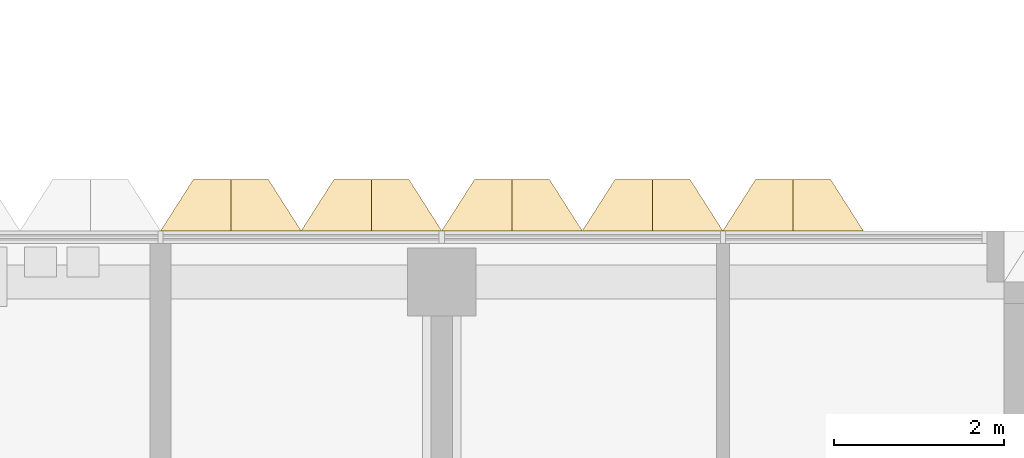
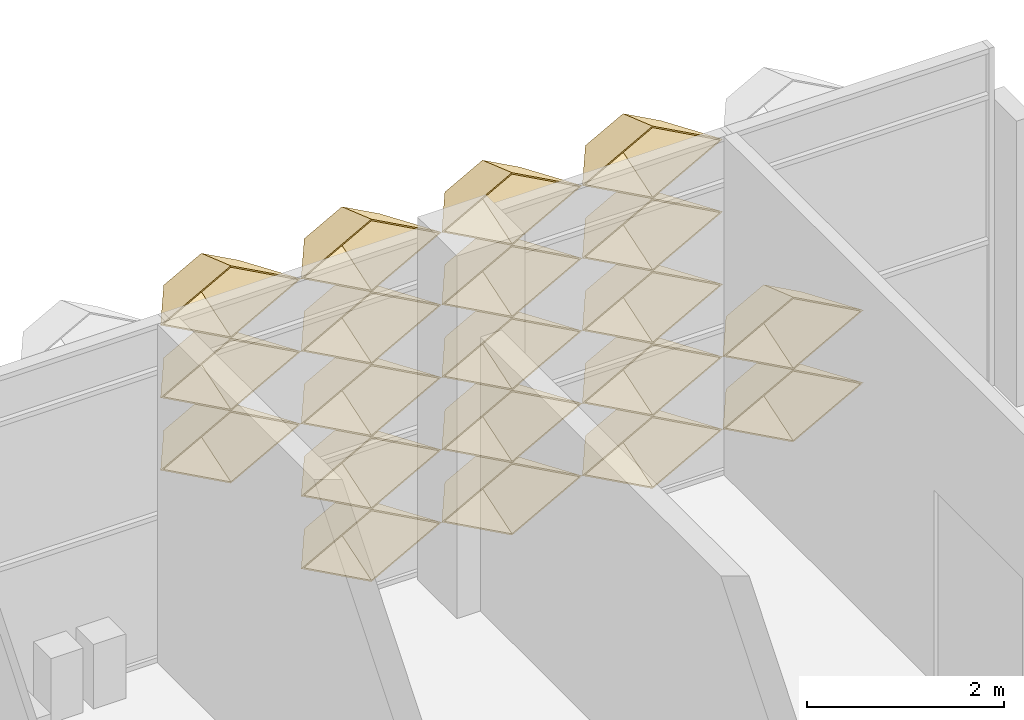
# One storey, part 36 of 39: 20 coverings.
"""IFC4 building model written with IfcOpenShell, lengths in metres."""

from ifc_helpers import new_model, entity, si_unit, direction, frame, origin, place, context, subcontext, project, spatial, material, layer, layer_set, type_object, element, save


model = new_model("IFC4")

# Units and contexts
model_context = context("Model", 3, precision=1e-05, world=origin(), true_north=direction((0.0, 1.0)))
body_context = subcontext(model_context, "Body", "Model", "MODEL_VIEW")
ifc_project = project(units=[si_unit("LENGTHUNIT", "METRE"), si_unit("AREAUNIT", "SQUARE_METRE"), si_unit("VOLUMEUNIT", "CUBIC_METRE"), si_unit("PLANEANGLEUNIT", "RADIAN"), si_unit("MASSUNIT", "GRAM", prefix="KILO")], contexts=[model_context])

# Site, building, storey
site_placement = place(None, origin())
site = spatial("IfcSite", under=ifc_project, at=site_placement, CompositionType="ELEMENT")
building_placement = place(site_placement, origin())
building = spatial("IfcBuilding", under=site, at=building_placement, Name="Lantern Court Research Institute", CompositionType="ELEMENT")
storey_placement = place(building_placement, frame((0.0, 0.0, 27.89990234375)))
storey = spatial("IfcBuildingStorey", under=building, at=storey_placement, Name="L06", CompositionType="ELEMENT", Elevation=27.89990234375)

# Coverings
ifc_material = material(Name="Anodised aluminium", Category="aluminium")
ifc_layer = layer(ifc_material, 0.01611328125)
ifc_layer_set = layer_set([ifc_layer], Name="Anodised aluminium")
covering_type = type_object("IfcCoveringType", Name="Fin cassette 1650 x 900 x 600 aluminium", PredefinedType="CLADDING", material=ifc_layer_set)
covering_1_placement = place(storey_placement, frame((65.175048828125, 23.699951171875, 0.4501953125), z_axis=(0.0, 1.0, 0.0), x_axis=(-1.0, 0.0, 0.0)))
cartesian_point_1 = entity("IfcCartesianPoint", [0.824951171875, 0.0])
cartesian_point_2 = entity("IfcCartesianPoint", [0.79150390625, 0.0])
cartesian_point_3 = entity("IfcCartesianPoint", [0.44189453125, 0.0])
cartesian_point_4 = entity("IfcCartesianPoint", [0.43359375, 0.0])
element("IfcCovering", 1, at=covering_1_placement, inside=storey, type_object=covering_type, Name="Fin cassette V5N-L06 1.40", PredefinedType="CLADDING", context=body_context, shape_type="SweptSolid", body=[
    entity("IfcExtrudedAreaSolidTapered", entity("IfcArbitraryProfileDefWithVoids", "AREA", None, entity("IfcPolyline", [cartesian_point_1, entity("IfcCartesianPoint", [0.0, 0.449951171875]), entity("IfcCartesianPoint", [-0.824951171875, 0.0]), entity("IfcCartesianPoint", [0.0, -0.449951171875]), cartesian_point_1]), [entity("IfcPolyline", [cartesian_point_2, entity("IfcCartesianPoint", [0.0, 0.431884765625]), entity("IfcCartesianPoint", [-0.79150390625, 0.0]), entity("IfcCartesianPoint", [0.0, -0.431884765625]), cartesian_point_2])]), entity("IfcAxis2Placement3D", entity("IfcCartesianPoint", [0.0, 0.0, 0.0])), entity("IfcDirection", [0.0, 0.0, 1.0]), 0.60009765625, entity("IfcArbitraryProfileDefWithVoids", "AREA", None, entity("IfcPolyline", [cartesian_point_3, entity("IfcCartesianPoint", [0.0, 0.240966796875]), entity("IfcCartesianPoint", [-0.44189453125, 0.0]), entity("IfcCartesianPoint", [0.0, -0.240966796875]), cartesian_point_3]), [entity("IfcPolyline", [cartesian_point_4, entity("IfcCartesianPoint", [0.0, 0.236572265625]), entity("IfcCartesianPoint", [-0.43359375, 0.0]), entity("IfcCartesianPoint", [0.0, -0.236572265625]), cartesian_point_4])])),
])
covering_2_placement = place(storey_placement, frame((66.824951171875, 23.699951171875, 0.4501953125), z_axis=(0.0, 1.0, 0.0), x_axis=(-1.0, 0.0, 0.0)))
cartesian_point_5 = entity("IfcCartesianPoint", [0.824951171875, 0.0])
cartesian_point_6 = entity("IfcCartesianPoint", [0.79150390625, 0.0])
cartesian_point_7 = entity("IfcCartesianPoint", [0.44189453125, 0.0])
cartesian_point_8 = entity("IfcCartesianPoint", [0.43359375, 0.0])
element("IfcCovering", 2, at=covering_2_placement, inside=storey, type_object=covering_type, Name="Fin cassette V5N-L06 1.41", PredefinedType="CLADDING", context=body_context, shape_type="SweptSolid", body=[
    entity("IfcExtrudedAreaSolidTapered", entity("IfcArbitraryProfileDefWithVoids", "AREA", None, entity("IfcPolyline", [cartesian_point_5, entity("IfcCartesianPoint", [0.0, 0.449951171875]), entity("IfcCartesianPoint", [-0.824951171875, 0.0]), entity("IfcCartesianPoint", [0.0, -0.449951171875]), cartesian_point_5]), [entity("IfcPolyline", [cartesian_point_6, entity("IfcCartesianPoint", [0.0, 0.431884765625]), entity("IfcCartesianPoint", [-0.79150390625, 0.0]), entity("IfcCartesianPoint", [0.0, -0.431884765625]), cartesian_point_6])]), entity("IfcAxis2Placement3D", entity("IfcCartesianPoint", [0.0, 0.0, 0.0])), entity("IfcDirection", [0.0, 0.0, 1.0]), 0.60009765625, entity("IfcArbitraryProfileDefWithVoids", "AREA", None, entity("IfcPolyline", [cartesian_point_7, entity("IfcCartesianPoint", [0.0, 0.240966796875]), entity("IfcCartesianPoint", [-0.44189453125, 0.0]), entity("IfcCartesianPoint", [0.0, -0.240966796875]), cartesian_point_7]), [entity("IfcPolyline", [cartesian_point_8, entity("IfcCartesianPoint", [0.0, 0.236572265625]), entity("IfcCartesianPoint", [-0.43359375, 0.0]), entity("IfcCartesianPoint", [0.0, -0.236572265625]), cartesian_point_8])])),
])
covering_3_placement = place(storey_placement, frame((68.47509765625, 23.699951171875, 0.4501953125), z_axis=(0.0, 1.0, 0.0), x_axis=(-1.0, 0.0, 0.0)))
cartesian_point_9 = entity("IfcCartesianPoint", [0.824951171875, 0.0])
cartesian_point_10 = entity("IfcCartesianPoint", [0.79150390625, 0.0])
cartesian_point_11 = entity("IfcCartesianPoint", [0.44189453125, 0.0])
cartesian_point_12 = entity("IfcCartesianPoint", [0.43359375, 0.0])
element("IfcCovering", 3, at=covering_3_placement, inside=storey, type_object=covering_type, Name="Fin cassette V5N-L06 1.42", PredefinedType="CLADDING", context=body_context, shape_type="SweptSolid", body=[
    entity("IfcExtrudedAreaSolidTapered", entity("IfcArbitraryProfileDefWithVoids", "AREA", None, entity("IfcPolyline", [cartesian_point_9, entity("IfcCartesianPoint", [0.0, 0.449951171875]), entity("IfcCartesianPoint", [-0.824951171875, 0.0]), entity("IfcCartesianPoint", [0.0, -0.449951171875]), cartesian_point_9]), [entity("IfcPolyline", [cartesian_point_10, entity("IfcCartesianPoint", [0.0, 0.431884765625]), entity("IfcCartesianPoint", [-0.79150390625, 0.0]), entity("IfcCartesianPoint", [0.0, -0.431884765625]), cartesian_point_10])]), entity("IfcAxis2Placement3D", entity("IfcCartesianPoint", [0.0, 0.0, 0.0])), entity("IfcDirection", [0.0, 0.0, 1.0]), 0.60009765625, entity("IfcArbitraryProfileDefWithVoids", "AREA", None, entity("IfcPolyline", [cartesian_point_11, entity("IfcCartesianPoint", [0.0, 0.240966796875]), entity("IfcCartesianPoint", [-0.44189453125, 0.0]), entity("IfcCartesianPoint", [0.0, -0.240966796875]), cartesian_point_11]), [entity("IfcPolyline", [cartesian_point_12, entity("IfcCartesianPoint", [0.0, 0.236572265625]), entity("IfcCartesianPoint", [-0.43359375, 0.0]), entity("IfcCartesianPoint", [0.0, -0.236572265625]), cartesian_point_12])])),
])
covering_4_placement = place(storey_placement, frame((70.125, 23.699951171875, 0.4501953125), z_axis=(0.0, 1.0, 0.0), x_axis=(-1.0, 0.0, 0.0)))
cartesian_point_13 = entity("IfcCartesianPoint", [0.824951171875, 0.0])
cartesian_point_14 = entity("IfcCartesianPoint", [0.79150390625, 0.0])
cartesian_point_15 = entity("IfcCartesianPoint", [0.44189453125, 0.0])
cartesian_point_16 = entity("IfcCartesianPoint", [0.43359375, 0.0])
element("IfcCovering", 4, at=covering_4_placement, inside=storey, type_object=covering_type, Name="Fin cassette V5N-L06 1.43", PredefinedType="CLADDING", context=body_context, shape_type="SweptSolid", body=[
    entity("IfcExtrudedAreaSolidTapered", entity("IfcArbitraryProfileDefWithVoids", "AREA", None, entity("IfcPolyline", [cartesian_point_13, entity("IfcCartesianPoint", [0.0, 0.449951171875]), entity("IfcCartesianPoint", [-0.824951171875, 0.0]), entity("IfcCartesianPoint", [0.0, -0.449951171875]), cartesian_point_13]), [entity("IfcPolyline", [cartesian_point_14, entity("IfcCartesianPoint", [0.0, 0.431884765625]), entity("IfcCartesianPoint", [-0.79150390625, 0.0]), entity("IfcCartesianPoint", [0.0, -0.431884765625]), cartesian_point_14])]), entity("IfcAxis2Placement3D", entity("IfcCartesianPoint", [0.0, 0.0, 0.0])), entity("IfcDirection", [0.0, 0.0, 1.0]), 0.60009765625, entity("IfcArbitraryProfileDefWithVoids", "AREA", None, entity("IfcPolyline", [cartesian_point_15, entity("IfcCartesianPoint", [0.0, 0.240966796875]), entity("IfcCartesianPoint", [-0.44189453125, 0.0]), entity("IfcCartesianPoint", [0.0, -0.240966796875]), cartesian_point_15]), [entity("IfcPolyline", [cartesian_point_16, entity("IfcCartesianPoint", [0.0, 0.236572265625]), entity("IfcCartesianPoint", [-0.43359375, 0.0]), entity("IfcCartesianPoint", [0.0, -0.236572265625]), cartesian_point_16])])),
])
covering_5_placement = place(storey_placement, frame((65.175048828125, 23.699951171875, 1.35009765625), z_axis=(0.0, 1.0, 0.0), x_axis=(-1.0, 0.0, 0.0)))
cartesian_point_17 = entity("IfcCartesianPoint", [0.824951171875, 0.0])
cartesian_point_18 = entity("IfcCartesianPoint", [0.79150390625, 0.0])
cartesian_point_19 = entity("IfcCartesianPoint", [0.44189453125, 0.0])
cartesian_point_20 = entity("IfcCartesianPoint", [0.43359375, 0.0])
element("IfcCovering", 5, at=covering_5_placement, inside=storey, type_object=covering_type, Name="Fin cassette V5N-L06 2.40", PredefinedType="CLADDING", context=body_context, shape_type="SweptSolid", body=[
    entity("IfcExtrudedAreaSolidTapered", entity("IfcArbitraryProfileDefWithVoids", "AREA", None, entity("IfcPolyline", [cartesian_point_17, entity("IfcCartesianPoint", [0.0, 0.449951171875]), entity("IfcCartesianPoint", [-0.824951171875, 0.0]), entity("IfcCartesianPoint", [0.0, -0.449951171875]), cartesian_point_17]), [entity("IfcPolyline", [cartesian_point_18, entity("IfcCartesianPoint", [0.0, 0.431884765625]), entity("IfcCartesianPoint", [-0.79150390625, 0.0]), entity("IfcCartesianPoint", [0.0, -0.431884765625]), cartesian_point_18])]), entity("IfcAxis2Placement3D", entity("IfcCartesianPoint", [0.0, 0.0, 0.0])), entity("IfcDirection", [0.0, 0.0, 1.0]), 0.60009765625, entity("IfcArbitraryProfileDefWithVoids", "AREA", None, entity("IfcPolyline", [cartesian_point_19, entity("IfcCartesianPoint", [0.0, 0.240966796875]), entity("IfcCartesianPoint", [-0.44189453125, 0.0]), entity("IfcCartesianPoint", [0.0, -0.240966796875]), cartesian_point_19]), [entity("IfcPolyline", [cartesian_point_20, entity("IfcCartesianPoint", [0.0, 0.236572265625]), entity("IfcCartesianPoint", [-0.43359375, 0.0]), entity("IfcCartesianPoint", [0.0, -0.236572265625]), cartesian_point_20])])),
])
covering_6_placement = place(storey_placement, frame((66.824951171875, 23.699951171875, 1.35009765625), z_axis=(0.0, 1.0, 0.0), x_axis=(-1.0, 0.0, 0.0)))
cartesian_point_21 = entity("IfcCartesianPoint", [0.824951171875, 0.0])
cartesian_point_22 = entity("IfcCartesianPoint", [0.79150390625, 0.0])
cartesian_point_23 = entity("IfcCartesianPoint", [0.44189453125, 0.0])
cartesian_point_24 = entity("IfcCartesianPoint", [0.43359375, 0.0])
element("IfcCovering", 6, at=covering_6_placement, inside=storey, type_object=covering_type, Name="Fin cassette V5N-L06 2.41", PredefinedType="CLADDING", context=body_context, shape_type="SweptSolid", body=[
    entity("IfcExtrudedAreaSolidTapered", entity("IfcArbitraryProfileDefWithVoids", "AREA", None, entity("IfcPolyline", [cartesian_point_21, entity("IfcCartesianPoint", [0.0, 0.449951171875]), entity("IfcCartesianPoint", [-0.824951171875, 0.0]), entity("IfcCartesianPoint", [0.0, -0.449951171875]), cartesian_point_21]), [entity("IfcPolyline", [cartesian_point_22, entity("IfcCartesianPoint", [0.0, 0.431884765625]), entity("IfcCartesianPoint", [-0.79150390625, 0.0]), entity("IfcCartesianPoint", [0.0, -0.431884765625]), cartesian_point_22])]), entity("IfcAxis2Placement3D", entity("IfcCartesianPoint", [0.0, 0.0, 0.0])), entity("IfcDirection", [0.0, 0.0, 1.0]), 0.60009765625, entity("IfcArbitraryProfileDefWithVoids", "AREA", None, entity("IfcPolyline", [cartesian_point_23, entity("IfcCartesianPoint", [0.0, 0.240966796875]), entity("IfcCartesianPoint", [-0.44189453125, 0.0]), entity("IfcCartesianPoint", [0.0, -0.240966796875]), cartesian_point_23]), [entity("IfcPolyline", [cartesian_point_24, entity("IfcCartesianPoint", [0.0, 0.236572265625]), entity("IfcCartesianPoint", [-0.43359375, 0.0]), entity("IfcCartesianPoint", [0.0, -0.236572265625]), cartesian_point_24])])),
])
covering_7_placement = place(storey_placement, frame((68.47509765625, 23.699951171875, 1.35009765625), z_axis=(0.0, 1.0, 0.0), x_axis=(-1.0, 0.0, 0.0)))
cartesian_point_25 = entity("IfcCartesianPoint", [0.824951171875, 0.0])
cartesian_point_26 = entity("IfcCartesianPoint", [0.79150390625, 0.0])
cartesian_point_27 = entity("IfcCartesianPoint", [0.44189453125, 0.0])
cartesian_point_28 = entity("IfcCartesianPoint", [0.43359375, 0.0])
element("IfcCovering", 7, at=covering_7_placement, inside=storey, type_object=covering_type, Name="Fin cassette V5N-L06 2.42", PredefinedType="CLADDING", context=body_context, shape_type="SweptSolid", body=[
    entity("IfcExtrudedAreaSolidTapered", entity("IfcArbitraryProfileDefWithVoids", "AREA", None, entity("IfcPolyline", [cartesian_point_25, entity("IfcCartesianPoint", [0.0, 0.449951171875]), entity("IfcCartesianPoint", [-0.824951171875, 0.0]), entity("IfcCartesianPoint", [0.0, -0.449951171875]), cartesian_point_25]), [entity("IfcPolyline", [cartesian_point_26, entity("IfcCartesianPoint", [0.0, 0.431884765625]), entity("IfcCartesianPoint", [-0.79150390625, 0.0]), entity("IfcCartesianPoint", [0.0, -0.431884765625]), cartesian_point_26])]), entity("IfcAxis2Placement3D", entity("IfcCartesianPoint", [0.0, 0.0, 0.0])), entity("IfcDirection", [0.0, 0.0, 1.0]), 0.60009765625, entity("IfcArbitraryProfileDefWithVoids", "AREA", None, entity("IfcPolyline", [cartesian_point_27, entity("IfcCartesianPoint", [0.0, 0.240966796875]), entity("IfcCartesianPoint", [-0.44189453125, 0.0]), entity("IfcCartesianPoint", [0.0, -0.240966796875]), cartesian_point_27]), [entity("IfcPolyline", [cartesian_point_28, entity("IfcCartesianPoint", [0.0, 0.236572265625]), entity("IfcCartesianPoint", [-0.43359375, 0.0]), entity("IfcCartesianPoint", [0.0, -0.236572265625]), cartesian_point_28])])),
])
covering_8_placement = place(storey_placement, frame((70.125, 23.699951171875, 1.35009765625), z_axis=(0.0, 1.0, 0.0), x_axis=(-1.0, 0.0, 0.0)))
cartesian_point_29 = entity("IfcCartesianPoint", [0.824951171875, 0.0])
cartesian_point_30 = entity("IfcCartesianPoint", [0.79150390625, 0.0])
cartesian_point_31 = entity("IfcCartesianPoint", [0.44189453125, 0.0])
cartesian_point_32 = entity("IfcCartesianPoint", [0.43359375, 0.0])
element("IfcCovering", 8, at=covering_8_placement, inside=storey, type_object=covering_type, Name="Fin cassette V5N-L06 2.43", PredefinedType="CLADDING", context=body_context, shape_type="SweptSolid", body=[
    entity("IfcExtrudedAreaSolidTapered", entity("IfcArbitraryProfileDefWithVoids", "AREA", None, entity("IfcPolyline", [cartesian_point_29, entity("IfcCartesianPoint", [0.0, 0.449951171875]), entity("IfcCartesianPoint", [-0.824951171875, 0.0]), entity("IfcCartesianPoint", [0.0, -0.449951171875]), cartesian_point_29]), [entity("IfcPolyline", [cartesian_point_30, entity("IfcCartesianPoint", [0.0, 0.431884765625]), entity("IfcCartesianPoint", [-0.79150390625, 0.0]), entity("IfcCartesianPoint", [0.0, -0.431884765625]), cartesian_point_30])]), entity("IfcAxis2Placement3D", entity("IfcCartesianPoint", [0.0, 0.0, 0.0])), entity("IfcDirection", [0.0, 0.0, 1.0]), 0.60009765625, entity("IfcArbitraryProfileDefWithVoids", "AREA", None, entity("IfcPolyline", [cartesian_point_31, entity("IfcCartesianPoint", [0.0, 0.240966796875]), entity("IfcCartesianPoint", [-0.44189453125, 0.0]), entity("IfcCartesianPoint", [0.0, -0.240966796875]), cartesian_point_31]), [entity("IfcPolyline", [cartesian_point_32, entity("IfcCartesianPoint", [0.0, 0.236572265625]), entity("IfcCartesianPoint", [-0.43359375, 0.0]), entity("IfcCartesianPoint", [0.0, -0.236572265625]), cartesian_point_32])])),
])
covering_9_placement = place(storey_placement, frame((63.52490234375, 23.699951171875, 2.25), z_axis=(0.0, 1.0, 0.0), x_axis=(-1.0, 0.0, 0.0)))
cartesian_point_33 = entity("IfcCartesianPoint", [0.824951171875, 0.0])
cartesian_point_34 = entity("IfcCartesianPoint", [0.79150390625, 0.0])
cartesian_point_35 = entity("IfcCartesianPoint", [0.44189453125, 0.0])
cartesian_point_36 = entity("IfcCartesianPoint", [0.43359375, 0.0])
element("IfcCovering", 9, at=covering_9_placement, inside=storey, type_object=covering_type, Name="Fin cassette V5N-L06 3.39", PredefinedType="CLADDING", context=body_context, shape_type="SweptSolid", body=[
    entity("IfcExtrudedAreaSolidTapered", entity("IfcArbitraryProfileDefWithVoids", "AREA", None, entity("IfcPolyline", [cartesian_point_33, entity("IfcCartesianPoint", [0.0, 0.449951171875]), entity("IfcCartesianPoint", [-0.824951171875, 0.0]), entity("IfcCartesianPoint", [0.0, -0.449951171875]), cartesian_point_33]), [entity("IfcPolyline", [cartesian_point_34, entity("IfcCartesianPoint", [0.0, 0.431884765625]), entity("IfcCartesianPoint", [-0.79150390625, 0.0]), entity("IfcCartesianPoint", [0.0, -0.431884765625]), cartesian_point_34])]), entity("IfcAxis2Placement3D", entity("IfcCartesianPoint", [0.0, 0.0, 0.0])), entity("IfcDirection", [0.0, 0.0, 1.0]), 0.60009765625, entity("IfcArbitraryProfileDefWithVoids", "AREA", None, entity("IfcPolyline", [cartesian_point_35, entity("IfcCartesianPoint", [0.0, 0.240966796875]), entity("IfcCartesianPoint", [-0.44189453125, 0.0]), entity("IfcCartesianPoint", [0.0, -0.240966796875]), cartesian_point_35]), [entity("IfcPolyline", [cartesian_point_36, entity("IfcCartesianPoint", [0.0, 0.236572265625]), entity("IfcCartesianPoint", [-0.43359375, 0.0]), entity("IfcCartesianPoint", [0.0, -0.236572265625]), cartesian_point_36])])),
])
covering_10_placement = place(storey_placement, frame((65.175048828125, 23.699951171875, 2.25), z_axis=(0.0, 1.0, 0.0), x_axis=(-1.0, 0.0, 0.0)))
cartesian_point_37 = entity("IfcCartesianPoint", [0.824951171875, 0.0])
cartesian_point_38 = entity("IfcCartesianPoint", [0.79150390625, 0.0])
cartesian_point_39 = entity("IfcCartesianPoint", [0.44189453125, 0.0])
cartesian_point_40 = entity("IfcCartesianPoint", [0.43359375, 0.0])
element("IfcCovering", 10, at=covering_10_placement, inside=storey, type_object=covering_type, Name="Fin cassette V5N-L06 3.40", PredefinedType="CLADDING", context=body_context, shape_type="SweptSolid", body=[
    entity("IfcExtrudedAreaSolidTapered", entity("IfcArbitraryProfileDefWithVoids", "AREA", None, entity("IfcPolyline", [cartesian_point_37, entity("IfcCartesianPoint", [0.0, 0.449951171875]), entity("IfcCartesianPoint", [-0.824951171875, 0.0]), entity("IfcCartesianPoint", [0.0, -0.449951171875]), cartesian_point_37]), [entity("IfcPolyline", [cartesian_point_38, entity("IfcCartesianPoint", [0.0, 0.431884765625]), entity("IfcCartesianPoint", [-0.79150390625, 0.0]), entity("IfcCartesianPoint", [0.0, -0.431884765625]), cartesian_point_38])]), entity("IfcAxis2Placement3D", entity("IfcCartesianPoint", [0.0, 0.0, 0.0])), entity("IfcDirection", [0.0, 0.0, 1.0]), 0.60009765625, entity("IfcArbitraryProfileDefWithVoids", "AREA", None, entity("IfcPolyline", [cartesian_point_39, entity("IfcCartesianPoint", [0.0, 0.240966796875]), entity("IfcCartesianPoint", [-0.44189453125, 0.0]), entity("IfcCartesianPoint", [0.0, -0.240966796875]), cartesian_point_39]), [entity("IfcPolyline", [cartesian_point_40, entity("IfcCartesianPoint", [0.0, 0.236572265625]), entity("IfcCartesianPoint", [-0.43359375, 0.0]), entity("IfcCartesianPoint", [0.0, -0.236572265625]), cartesian_point_40])])),
])
covering_11_placement = place(storey_placement, frame((66.824951171875, 23.699951171875, 2.25), z_axis=(0.0, 1.0, 0.0), x_axis=(-1.0, 0.0, 0.0)))
cartesian_point_41 = entity("IfcCartesianPoint", [0.824951171875, 0.0])
cartesian_point_42 = entity("IfcCartesianPoint", [0.79150390625, 0.0])
cartesian_point_43 = entity("IfcCartesianPoint", [0.44189453125, 0.0])
cartesian_point_44 = entity("IfcCartesianPoint", [0.43359375, 0.0])
element("IfcCovering", 11, at=covering_11_placement, inside=storey, type_object=covering_type, Name="Fin cassette V5N-L06 3.41", PredefinedType="CLADDING", context=body_context, shape_type="SweptSolid", body=[
    entity("IfcExtrudedAreaSolidTapered", entity("IfcArbitraryProfileDefWithVoids", "AREA", None, entity("IfcPolyline", [cartesian_point_41, entity("IfcCartesianPoint", [0.0, 0.449951171875]), entity("IfcCartesianPoint", [-0.824951171875, 0.0]), entity("IfcCartesianPoint", [0.0, -0.449951171875]), cartesian_point_41]), [entity("IfcPolyline", [cartesian_point_42, entity("IfcCartesianPoint", [0.0, 0.431884765625]), entity("IfcCartesianPoint", [-0.79150390625, 0.0]), entity("IfcCartesianPoint", [0.0, -0.431884765625]), cartesian_point_42])]), entity("IfcAxis2Placement3D", entity("IfcCartesianPoint", [0.0, 0.0, 0.0])), entity("IfcDirection", [0.0, 0.0, 1.0]), 0.60009765625, entity("IfcArbitraryProfileDefWithVoids", "AREA", None, entity("IfcPolyline", [cartesian_point_43, entity("IfcCartesianPoint", [0.0, 0.240966796875]), entity("IfcCartesianPoint", [-0.44189453125, 0.0]), entity("IfcCartesianPoint", [0.0, -0.240966796875]), cartesian_point_43]), [entity("IfcPolyline", [cartesian_point_44, entity("IfcCartesianPoint", [0.0, 0.236572265625]), entity("IfcCartesianPoint", [-0.43359375, 0.0]), entity("IfcCartesianPoint", [0.0, -0.236572265625]), cartesian_point_44])])),
])
covering_12_placement = place(storey_placement, frame((68.47509765625, 23.699951171875, 2.25), z_axis=(0.0, 1.0, 0.0), x_axis=(-1.0, 0.0, 0.0)))
cartesian_point_45 = entity("IfcCartesianPoint", [0.824951171875, 0.0])
cartesian_point_46 = entity("IfcCartesianPoint", [0.79150390625, 0.0])
cartesian_point_47 = entity("IfcCartesianPoint", [0.44189453125, 0.0])
cartesian_point_48 = entity("IfcCartesianPoint", [0.43359375, 0.0])
element("IfcCovering", 12, at=covering_12_placement, inside=storey, type_object=covering_type, Name="Fin cassette V5N-L06 3.42", PredefinedType="CLADDING", context=body_context, shape_type="SweptSolid", body=[
    entity("IfcExtrudedAreaSolidTapered", entity("IfcArbitraryProfileDefWithVoids", "AREA", None, entity("IfcPolyline", [cartesian_point_45, entity("IfcCartesianPoint", [0.0, 0.449951171875]), entity("IfcCartesianPoint", [-0.824951171875, 0.0]), entity("IfcCartesianPoint", [0.0, -0.449951171875]), cartesian_point_45]), [entity("IfcPolyline", [cartesian_point_46, entity("IfcCartesianPoint", [0.0, 0.431884765625]), entity("IfcCartesianPoint", [-0.79150390625, 0.0]), entity("IfcCartesianPoint", [0.0, -0.431884765625]), cartesian_point_46])]), entity("IfcAxis2Placement3D", entity("IfcCartesianPoint", [0.0, 0.0, 0.0])), entity("IfcDirection", [0.0, 0.0, 1.0]), 0.60009765625, entity("IfcArbitraryProfileDefWithVoids", "AREA", None, entity("IfcPolyline", [cartesian_point_47, entity("IfcCartesianPoint", [0.0, 0.240966796875]), entity("IfcCartesianPoint", [-0.44189453125, 0.0]), entity("IfcCartesianPoint", [0.0, -0.240966796875]), cartesian_point_47]), [entity("IfcPolyline", [cartesian_point_48, entity("IfcCartesianPoint", [0.0, 0.236572265625]), entity("IfcCartesianPoint", [-0.43359375, 0.0]), entity("IfcCartesianPoint", [0.0, -0.236572265625]), cartesian_point_48])])),
])
covering_13_placement = place(storey_placement, frame((63.52490234375, 23.699951171875, 3.150146484375), z_axis=(0.0, 1.0, 0.0), x_axis=(-1.0, 0.0, 0.0)))
cartesian_point_49 = entity("IfcCartesianPoint", [0.824951171875, 0.0])
cartesian_point_50 = entity("IfcCartesianPoint", [0.79150390625, 0.0])
cartesian_point_51 = entity("IfcCartesianPoint", [0.44189453125, 0.0])
cartesian_point_52 = entity("IfcCartesianPoint", [0.43359375, 0.0])
element("IfcCovering", 13, at=covering_13_placement, inside=storey, type_object=covering_type, Name="Fin cassette V5N-L06 4.39", PredefinedType="CLADDING", context=body_context, shape_type="SweptSolid", body=[
    entity("IfcExtrudedAreaSolidTapered", entity("IfcArbitraryProfileDefWithVoids", "AREA", None, entity("IfcPolyline", [cartesian_point_49, entity("IfcCartesianPoint", [0.0, 0.449951171875]), entity("IfcCartesianPoint", [-0.824951171875, 0.0]), entity("IfcCartesianPoint", [0.0, -0.449951171875]), cartesian_point_49]), [entity("IfcPolyline", [cartesian_point_50, entity("IfcCartesianPoint", [0.0, 0.431884765625]), entity("IfcCartesianPoint", [-0.79150390625, 0.0]), entity("IfcCartesianPoint", [0.0, -0.431884765625]), cartesian_point_50])]), entity("IfcAxis2Placement3D", entity("IfcCartesianPoint", [0.0, 0.0, 0.0])), entity("IfcDirection", [0.0, 0.0, 1.0]), 0.60009765625, entity("IfcArbitraryProfileDefWithVoids", "AREA", None, entity("IfcPolyline", [cartesian_point_51, entity("IfcCartesianPoint", [0.0, 0.240966796875]), entity("IfcCartesianPoint", [-0.44189453125, 0.0]), entity("IfcCartesianPoint", [0.0, -0.240966796875]), cartesian_point_51]), [entity("IfcPolyline", [cartesian_point_52, entity("IfcCartesianPoint", [0.0, 0.236572265625]), entity("IfcCartesianPoint", [-0.43359375, 0.0]), entity("IfcCartesianPoint", [0.0, -0.236572265625]), cartesian_point_52])])),
])
covering_14_placement = place(storey_placement, frame((65.175048828125, 23.699951171875, 3.150146484375), z_axis=(0.0, 1.0, 0.0), x_axis=(-1.0, 0.0, 0.0)))
cartesian_point_53 = entity("IfcCartesianPoint", [0.824951171875, 0.0])
cartesian_point_54 = entity("IfcCartesianPoint", [0.79150390625, 0.0])
cartesian_point_55 = entity("IfcCartesianPoint", [0.44189453125, 0.0])
cartesian_point_56 = entity("IfcCartesianPoint", [0.43359375, 0.0])
element("IfcCovering", 14, at=covering_14_placement, inside=storey, type_object=covering_type, Name="Fin cassette V5N-L06 4.40", PredefinedType="CLADDING", context=body_context, shape_type="SweptSolid", body=[
    entity("IfcExtrudedAreaSolidTapered", entity("IfcArbitraryProfileDefWithVoids", "AREA", None, entity("IfcPolyline", [cartesian_point_53, entity("IfcCartesianPoint", [0.0, 0.449951171875]), entity("IfcCartesianPoint", [-0.824951171875, 0.0]), entity("IfcCartesianPoint", [0.0, -0.449951171875]), cartesian_point_53]), [entity("IfcPolyline", [cartesian_point_54, entity("IfcCartesianPoint", [0.0, 0.431884765625]), entity("IfcCartesianPoint", [-0.79150390625, 0.0]), entity("IfcCartesianPoint", [0.0, -0.431884765625]), cartesian_point_54])]), entity("IfcAxis2Placement3D", entity("IfcCartesianPoint", [0.0, 0.0, 0.0])), entity("IfcDirection", [0.0, 0.0, 1.0]), 0.60009765625, entity("IfcArbitraryProfileDefWithVoids", "AREA", None, entity("IfcPolyline", [cartesian_point_55, entity("IfcCartesianPoint", [0.0, 0.240966796875]), entity("IfcCartesianPoint", [-0.44189453125, 0.0]), entity("IfcCartesianPoint", [0.0, -0.240966796875]), cartesian_point_55]), [entity("IfcPolyline", [cartesian_point_56, entity("IfcCartesianPoint", [0.0, 0.236572265625]), entity("IfcCartesianPoint", [-0.43359375, 0.0]), entity("IfcCartesianPoint", [0.0, -0.236572265625]), cartesian_point_56])])),
])
covering_15_placement = place(storey_placement, frame((66.824951171875, 23.699951171875, 3.150146484375), z_axis=(0.0, 1.0, 0.0), x_axis=(-1.0, 0.0, 0.0)))
cartesian_point_57 = entity("IfcCartesianPoint", [0.824951171875, 0.0])
cartesian_point_58 = entity("IfcCartesianPoint", [0.79150390625, 0.0])
cartesian_point_59 = entity("IfcCartesianPoint", [0.44189453125, 0.0])
cartesian_point_60 = entity("IfcCartesianPoint", [0.43359375, 0.0])
element("IfcCovering", 15, at=covering_15_placement, inside=storey, type_object=covering_type, Name="Fin cassette V5N-L06 4.41", PredefinedType="CLADDING", context=body_context, shape_type="SweptSolid", body=[
    entity("IfcExtrudedAreaSolidTapered", entity("IfcArbitraryProfileDefWithVoids", "AREA", None, entity("IfcPolyline", [cartesian_point_57, entity("IfcCartesianPoint", [0.0, 0.449951171875]), entity("IfcCartesianPoint", [-0.824951171875, 0.0]), entity("IfcCartesianPoint", [0.0, -0.449951171875]), cartesian_point_57]), [entity("IfcPolyline", [cartesian_point_58, entity("IfcCartesianPoint", [0.0, 0.431884765625]), entity("IfcCartesianPoint", [-0.79150390625, 0.0]), entity("IfcCartesianPoint", [0.0, -0.431884765625]), cartesian_point_58])]), entity("IfcAxis2Placement3D", entity("IfcCartesianPoint", [0.0, 0.0, 0.0])), entity("IfcDirection", [0.0, 0.0, 1.0]), 0.60009765625, entity("IfcArbitraryProfileDefWithVoids", "AREA", None, entity("IfcPolyline", [cartesian_point_59, entity("IfcCartesianPoint", [0.0, 0.240966796875]), entity("IfcCartesianPoint", [-0.44189453125, 0.0]), entity("IfcCartesianPoint", [0.0, -0.240966796875]), cartesian_point_59]), [entity("IfcPolyline", [cartesian_point_60, entity("IfcCartesianPoint", [0.0, 0.236572265625]), entity("IfcCartesianPoint", [-0.43359375, 0.0]), entity("IfcCartesianPoint", [0.0, -0.236572265625]), cartesian_point_60])])),
])
covering_16_placement = place(storey_placement, frame((68.47509765625, 23.699951171875, 3.150146484375), z_axis=(0.0, 1.0, 0.0), x_axis=(-1.0, 0.0, 0.0)))
cartesian_point_61 = entity("IfcCartesianPoint", [0.824951171875, 0.0])
cartesian_point_62 = entity("IfcCartesianPoint", [0.79150390625, 0.0])
cartesian_point_63 = entity("IfcCartesianPoint", [0.44189453125, 0.0])
cartesian_point_64 = entity("IfcCartesianPoint", [0.43359375, 0.0])
element("IfcCovering", 16, at=covering_16_placement, inside=storey, type_object=covering_type, Name="Fin cassette V5N-L06 4.42", PredefinedType="CLADDING", context=body_context, shape_type="SweptSolid", body=[
    entity("IfcExtrudedAreaSolidTapered", entity("IfcArbitraryProfileDefWithVoids", "AREA", None, entity("IfcPolyline", [cartesian_point_61, entity("IfcCartesianPoint", [0.0, 0.449951171875]), entity("IfcCartesianPoint", [-0.824951171875, 0.0]), entity("IfcCartesianPoint", [0.0, -0.449951171875]), cartesian_point_61]), [entity("IfcPolyline", [cartesian_point_62, entity("IfcCartesianPoint", [0.0, 0.431884765625]), entity("IfcCartesianPoint", [-0.79150390625, 0.0]), entity("IfcCartesianPoint", [0.0, -0.431884765625]), cartesian_point_62])]), entity("IfcAxis2Placement3D", entity("IfcCartesianPoint", [0.0, 0.0, 0.0])), entity("IfcDirection", [0.0, 0.0, 1.0]), 0.60009765625, entity("IfcArbitraryProfileDefWithVoids", "AREA", None, entity("IfcPolyline", [cartesian_point_63, entity("IfcCartesianPoint", [0.0, 0.240966796875]), entity("IfcCartesianPoint", [-0.44189453125, 0.0]), entity("IfcCartesianPoint", [0.0, -0.240966796875]), cartesian_point_63]), [entity("IfcPolyline", [cartesian_point_64, entity("IfcCartesianPoint", [0.0, 0.236572265625]), entity("IfcCartesianPoint", [-0.43359375, 0.0]), entity("IfcCartesianPoint", [0.0, -0.236572265625]), cartesian_point_64])])),
])
covering_17_placement = place(storey_placement, frame((63.52490234375, 23.699951171875, 4.050048828125), z_axis=(0.0, 1.0, 0.0), x_axis=(-1.0, 0.0, 0.0)))
cartesian_point_65 = entity("IfcCartesianPoint", [0.824951171875, 0.0])
cartesian_point_66 = entity("IfcCartesianPoint", [0.79150390625, 0.0])
cartesian_point_67 = entity("IfcCartesianPoint", [0.44189453125, 0.0])
cartesian_point_68 = entity("IfcCartesianPoint", [0.43359375, 0.0])
element("IfcCovering", 17, at=covering_17_placement, inside=storey, type_object=covering_type, Name="Fin cassette V5N-L06 5.39", PredefinedType="CLADDING", context=body_context, shape_type="SweptSolid", body=[
    entity("IfcExtrudedAreaSolidTapered", entity("IfcArbitraryProfileDefWithVoids", "AREA", None, entity("IfcPolyline", [cartesian_point_65, entity("IfcCartesianPoint", [0.0, 0.449951171875]), entity("IfcCartesianPoint", [-0.824951171875, 0.0]), entity("IfcCartesianPoint", [0.0, -0.449951171875]), cartesian_point_65]), [entity("IfcPolyline", [cartesian_point_66, entity("IfcCartesianPoint", [0.0, 0.431884765625]), entity("IfcCartesianPoint", [-0.79150390625, 0.0]), entity("IfcCartesianPoint", [0.0, -0.431884765625]), cartesian_point_66])]), entity("IfcAxis2Placement3D", entity("IfcCartesianPoint", [0.0, 0.0, 0.0])), entity("IfcDirection", [0.0, 0.0, 1.0]), 0.60009765625, entity("IfcArbitraryProfileDefWithVoids", "AREA", None, entity("IfcPolyline", [cartesian_point_67, entity("IfcCartesianPoint", [0.0, 0.240966796875]), entity("IfcCartesianPoint", [-0.44189453125, 0.0]), entity("IfcCartesianPoint", [0.0, -0.240966796875]), cartesian_point_67]), [entity("IfcPolyline", [cartesian_point_68, entity("IfcCartesianPoint", [0.0, 0.236572265625]), entity("IfcCartesianPoint", [-0.43359375, 0.0]), entity("IfcCartesianPoint", [0.0, -0.236572265625]), cartesian_point_68])])),
])
covering_18_placement = place(storey_placement, frame((65.175048828125, 23.699951171875, 4.050048828125), z_axis=(0.0, 1.0, 0.0), x_axis=(-1.0, 0.0, 0.0)))
cartesian_point_69 = entity("IfcCartesianPoint", [0.824951171875, 0.0])
cartesian_point_70 = entity("IfcCartesianPoint", [0.79150390625, 0.0])
cartesian_point_71 = entity("IfcCartesianPoint", [0.44189453125, 0.0])
cartesian_point_72 = entity("IfcCartesianPoint", [0.43359375, 0.0])
element("IfcCovering", 18, at=covering_18_placement, inside=storey, type_object=covering_type, Name="Fin cassette V5N-L06 5.40", PredefinedType="CLADDING", context=body_context, shape_type="SweptSolid", body=[
    entity("IfcExtrudedAreaSolidTapered", entity("IfcArbitraryProfileDefWithVoids", "AREA", None, entity("IfcPolyline", [cartesian_point_69, entity("IfcCartesianPoint", [0.0, 0.449951171875]), entity("IfcCartesianPoint", [-0.824951171875, 0.0]), entity("IfcCartesianPoint", [0.0, -0.449951171875]), cartesian_point_69]), [entity("IfcPolyline", [cartesian_point_70, entity("IfcCartesianPoint", [0.0, 0.431884765625]), entity("IfcCartesianPoint", [-0.79150390625, 0.0]), entity("IfcCartesianPoint", [0.0, -0.431884765625]), cartesian_point_70])]), entity("IfcAxis2Placement3D", entity("IfcCartesianPoint", [0.0, 0.0, 0.0])), entity("IfcDirection", [0.0, 0.0, 1.0]), 0.60009765625, entity("IfcArbitraryProfileDefWithVoids", "AREA", None, entity("IfcPolyline", [cartesian_point_71, entity("IfcCartesianPoint", [0.0, 0.240966796875]), entity("IfcCartesianPoint", [-0.44189453125, 0.0]), entity("IfcCartesianPoint", [0.0, -0.240966796875]), cartesian_point_71]), [entity("IfcPolyline", [cartesian_point_72, entity("IfcCartesianPoint", [0.0, 0.236572265625]), entity("IfcCartesianPoint", [-0.43359375, 0.0]), entity("IfcCartesianPoint", [0.0, -0.236572265625]), cartesian_point_72])])),
])
covering_19_placement = place(storey_placement, frame((66.824951171875, 23.699951171875, 4.050048828125), z_axis=(0.0, 1.0, 0.0), x_axis=(-1.0, 0.0, 0.0)))
cartesian_point_73 = entity("IfcCartesianPoint", [0.824951171875, 0.0])
cartesian_point_74 = entity("IfcCartesianPoint", [0.79150390625, 0.0])
cartesian_point_75 = entity("IfcCartesianPoint", [0.44189453125, 0.0])
cartesian_point_76 = entity("IfcCartesianPoint", [0.43359375, 0.0])
element("IfcCovering", 19, at=covering_19_placement, inside=storey, type_object=covering_type, Name="Fin cassette V5N-L06 5.41", PredefinedType="CLADDING", context=body_context, shape_type="SweptSolid", body=[
    entity("IfcExtrudedAreaSolidTapered", entity("IfcArbitraryProfileDefWithVoids", "AREA", None, entity("IfcPolyline", [cartesian_point_73, entity("IfcCartesianPoint", [0.0, 0.449951171875]), entity("IfcCartesianPoint", [-0.824951171875, 0.0]), entity("IfcCartesianPoint", [0.0, -0.449951171875]), cartesian_point_73]), [entity("IfcPolyline", [cartesian_point_74, entity("IfcCartesianPoint", [0.0, 0.431884765625]), entity("IfcCartesianPoint", [-0.79150390625, 0.0]), entity("IfcCartesianPoint", [0.0, -0.431884765625]), cartesian_point_74])]), entity("IfcAxis2Placement3D", entity("IfcCartesianPoint", [0.0, 0.0, 0.0])), entity("IfcDirection", [0.0, 0.0, 1.0]), 0.60009765625, entity("IfcArbitraryProfileDefWithVoids", "AREA", None, entity("IfcPolyline", [cartesian_point_75, entity("IfcCartesianPoint", [0.0, 0.240966796875]), entity("IfcCartesianPoint", [-0.44189453125, 0.0]), entity("IfcCartesianPoint", [0.0, -0.240966796875]), cartesian_point_75]), [entity("IfcPolyline", [cartesian_point_76, entity("IfcCartesianPoint", [0.0, 0.236572265625]), entity("IfcCartesianPoint", [-0.43359375, 0.0]), entity("IfcCartesianPoint", [0.0, -0.236572265625]), cartesian_point_76])])),
])
covering_20_placement = place(storey_placement, frame((68.47509765625, 23.699951171875, 4.050048828125), z_axis=(0.0, 1.0, 0.0), x_axis=(-1.0, 0.0, 0.0)))
cartesian_point_77 = entity("IfcCartesianPoint", [0.824951171875, 0.0])
cartesian_point_78 = entity("IfcCartesianPoint", [0.79150390625, 0.0])
cartesian_point_79 = entity("IfcCartesianPoint", [0.44189453125, 0.0])
cartesian_point_80 = entity("IfcCartesianPoint", [0.43359375, 0.0])
element("IfcCovering", 20, at=covering_20_placement, inside=storey, type_object=covering_type, Name="Fin cassette V5N-L06 5.42", PredefinedType="CLADDING", context=body_context, shape_type="SweptSolid", body=[
    entity("IfcExtrudedAreaSolidTapered", entity("IfcArbitraryProfileDefWithVoids", "AREA", None, entity("IfcPolyline", [cartesian_point_77, entity("IfcCartesianPoint", [0.0, 0.449951171875]), entity("IfcCartesianPoint", [-0.824951171875, 0.0]), entity("IfcCartesianPoint", [0.0, -0.449951171875]), cartesian_point_77]), [entity("IfcPolyline", [cartesian_point_78, entity("IfcCartesianPoint", [0.0, 0.431884765625]), entity("IfcCartesianPoint", [-0.79150390625, 0.0]), entity("IfcCartesianPoint", [0.0, -0.431884765625]), cartesian_point_78])]), entity("IfcAxis2Placement3D", entity("IfcCartesianPoint", [0.0, 0.0, 0.0])), entity("IfcDirection", [0.0, 0.0, 1.0]), 0.60009765625, entity("IfcArbitraryProfileDefWithVoids", "AREA", None, entity("IfcPolyline", [cartesian_point_79, entity("IfcCartesianPoint", [0.0, 0.240966796875]), entity("IfcCartesianPoint", [-0.44189453125, 0.0]), entity("IfcCartesianPoint", [0.0, -0.240966796875]), cartesian_point_79]), [entity("IfcPolyline", [cartesian_point_80, entity("IfcCartesianPoint", [0.0, 0.236572265625]), entity("IfcCartesianPoint", [-0.43359375, 0.0]), entity("IfcCartesianPoint", [0.0, -0.236572265625]), cartesian_point_80])])),
])

save(model, "model.ifc")
